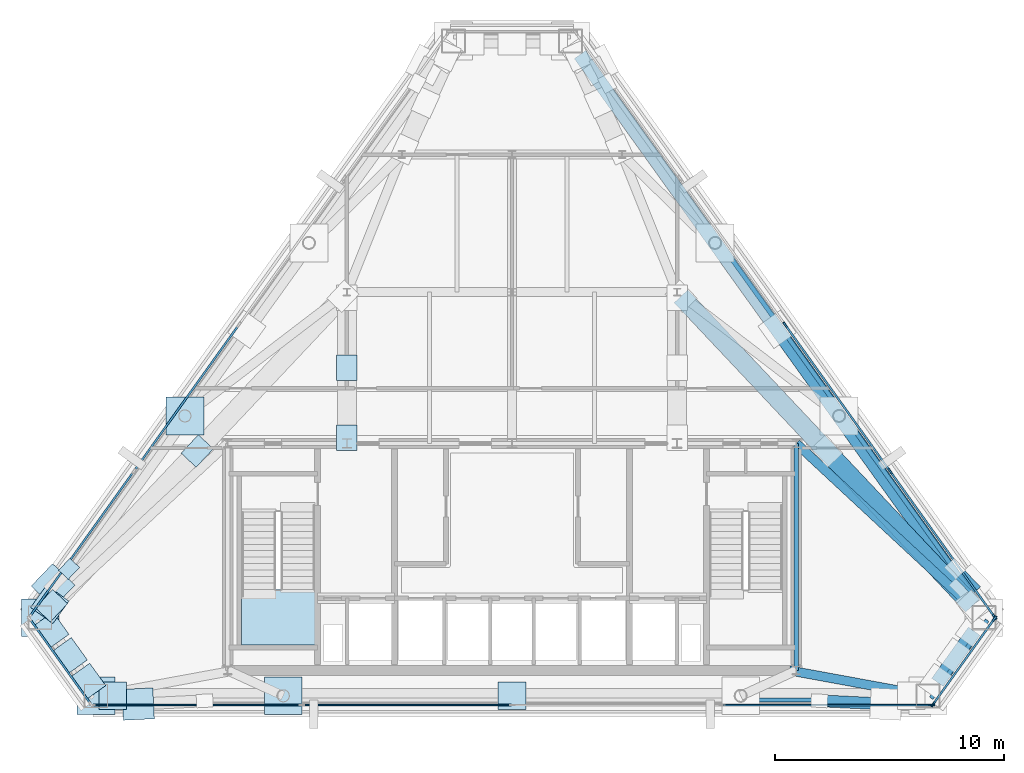
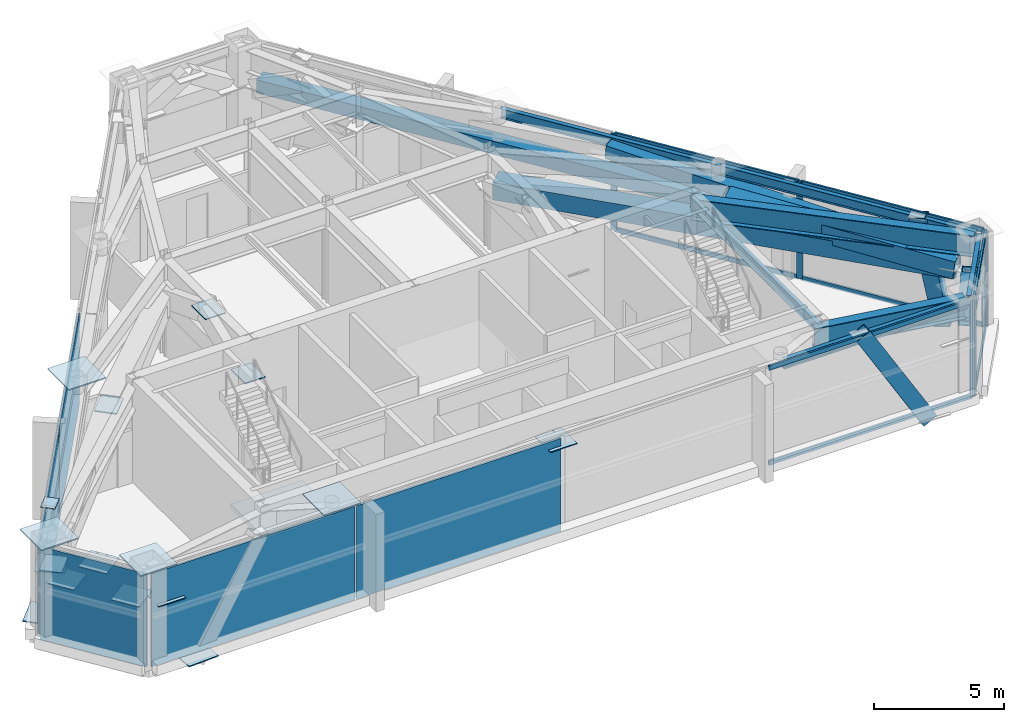
# One storey, part 4 of 9: 23 members, 22 plates, 7 beams, 1 slab, 6 elements without a shape of their own.
"""IFC4 building model written with IfcOpenShell, lengths in metres."""

from ifc_helpers import new_model, si_unit, direction, frame, origin, origin_2d, place, context, subcontext, project, spatial, polyline, rectangle, hollow_rectangle, i_section, outline, extrude, source, transform, mapped, material, layer, layer_set, material_profile, profile_set, type_object, type_shapes, element, aggregate, save


model = new_model("IFC4")

# Units and contexts
model_context = context("Model", 3, precision=1e-05, world=origin(), true_north=direction((0.0, 1.0)))
body_context = subcontext(model_context, "Body", "Model", "MODEL_VIEW")
ifc_project = project(units=[si_unit("LENGTHUNIT", "METRE"), si_unit("AREAUNIT", "SQUARE_METRE"), si_unit("VOLUMEUNIT", "CUBIC_METRE"), si_unit("PLANEANGLEUNIT", "RADIAN"), si_unit("MASSUNIT", "GRAM", prefix="KILO")], contexts=[model_context])

# Site, building, storey
site_placement = place(None, origin())
site = spatial("IfcSite", under=ifc_project, at=site_placement, CompositionType="ELEMENT")
building_placement = place(site_placement, origin())
building = spatial("IfcBuilding", under=site, at=building_placement, Name="Talgorran Terracotta Tower", CompositionType="ELEMENT")
storey_placement = place(building_placement, frame((0.0, 0.0, 244.199951171875)))
storey = spatial("IfcBuildingStorey", under=building, at=storey_placement, Name="L64", CompositionType="ELEMENT", Elevation=244.199951171875)

# Beams
ifc_material_1 = material(Name="Steel Grade 350 (350L0)", Category="steel")
ifc_material_profile_1 = material_profile(ifc_material_1, i_section(OverallWidth=0.39990234375, OverallDepth=1.0, WebThickness=0.01611328125, FlangeThickness=0.031005859375, at=origin_2d()), Name="1000WB296")
ifc_profile_set_1 = profile_set([ifc_material_profile_1], Name="Steel Grade 350 (350L0)")
beam_type_1 = type_object("IfcBeamType", Name="BM_1000WB296", PredefinedType="BEAM", material=ifc_profile_set_1)
beam_1_placement = place(storey_placement, frame((18.13720703125, -15.207763671875, 4.045166015625), z_axis=(-0.983581619815, 0.180463838932, 0.0), x_axis=(-0.180463838932, -0.983581619815, 0.0)))
element("IfcBeam", 1, at=beam_1_placement, inside=storey, type_object=beam_type_1, Name="L64 Perimeter Step Girder 5", PredefinedType="BEAM", context=body_context, shape_type="SweptSolid", body=[
    extrude(i_section(OverallWidth=0.39990234375, OverallDepth=1.0, WebThickness=0.01611328125, FlangeThickness=0.031005859375, at=origin_2d()), origin(), (0.0, 0.0, 1.0), 6.137939453125),
])
beam_2_placement = place(storey_placement, frame((12.39990234375, -4.199951171875, 4.045166015625), z_axis=(0.732477257619, -0.68079150044, 0.0), x_axis=(0.68079150044, 0.732477257619, 0.0)))
element("IfcBeam", 2, at=beam_2_placement, inside=storey, type_object=beam_type_1, Name="L64 Floor Girder G18", PredefinedType="BEAM", context=body_context, shape_type="SweptSolid", body=[
    extrude(i_section(OverallWidth=0.39990234375, OverallDepth=1.0, WebThickness=0.01611328125, FlangeThickness=0.031005859375, at=origin_2d()), origin(), (0.0, 0.0, 1.0), 11.16650390625),
])
ifc_material_2 = material(Name="Steel S355 (300PLUS)", Category="steel")
ifc_material_profile_2 = material_profile(ifc_material_2, i_section(OverallWidth=0.18994140625, OverallDepth=0.45703125, WebThickness=0.009033203125, FlangeThickness=0.014404296875, at=origin_2d()), Name="460UB74.6")
ifc_profile_set_2 = profile_set([ifc_material_profile_2], Name="Steel S355 (300PLUS)")
beam_type_2 = type_object("IfcBeamType", Name="BM_SP_460UB74", PredefinedType="SPANDREL", material=ifc_profile_set_2)
beam_3_placement = place(storey_placement, frame((9.9755859375, -15.3876953125, 4.316650390625), z_axis=(1.0, 0.0, 0.0), x_axis=(0.0, 1.0, 0.0)))
element("IfcBeam", 3, at=beam_3_placement, inside=storey, type_object=beam_type_2, Name="L64 Perimeter Spandrel Beam FC2-MC3", PredefinedType="SPANDREL", context=body_context, shape_type="SweptSolid", body=[
    extrude(i_section(OverallWidth=0.18994140625, OverallDepth=0.45703125, WebThickness=0.009033203125, FlangeThickness=0.014404296875, at=origin_2d()), origin(), (0.0, 0.0, 1.0), 8.16162109375),
])
beam_4_placement = place(storey_placement, frame((18.283447265625, -15.312744140625, 4.316650390625), z_axis=(0.582692129248, 0.812692981705, 0.0), x_axis=(-0.812692981705, 0.582692129248, 0.0)))
element("IfcBeam", 4, at=beam_4_placement, inside=storey, type_object=beam_type_2, Name="L64 Perimeter Spandrel Beam MC3-MC4", PredefinedType="SPANDREL", context=body_context, shape_type="SweptSolid", body=[
    extrude(i_section(OverallWidth=0.18994140625, OverallDepth=0.45703125, WebThickness=0.009033203125, FlangeThickness=0.014404296875, at=origin_2d()), origin(), (0.0, 0.0, 1.0), 4.190673828125),
])
beam_5_placement = place(storey_placement, frame((20.725341796875, -11.697021484375, 4.316650390625), z_axis=(-0.5826658635, 0.812711813321, 0.0), x_axis=(-0.812711813321, -0.5826658635, 0.0)))
element("IfcBeam", 5, at=beam_5_placement, inside=storey, type_object=beam_type_2, Name="L64 Perimeter Spandrel Beam MC4-FC3", PredefinedType="SPANDREL", context=body_context, shape_type="SweptSolid", body=[
    extrude(i_section(OverallWidth=0.18994140625, OverallDepth=0.45703125, WebThickness=0.009033203125, FlangeThickness=0.014404296875, at=origin_2d()), origin(), (0.0, 0.0, 1.0), 10.831298828125),
])
beam_6_placement = place(storey_placement, frame((14.414306640625, -2.894287109375, 4.316650390625), z_axis=(-0.582665161137, 0.812712316873, 0.0), x_axis=(-0.812712316873, -0.582665161137, 0.0)))
element("IfcBeam", 6, at=beam_6_placement, inside=storey, type_object=beam_type_2, Name="L64 Perimeter Spandrel Beam FC3-FC4", PredefinedType="SPANDREL", context=body_context, shape_type="SweptSolid", body=[
    extrude(i_section(OverallWidth=0.18994140625, OverallDepth=0.45703125, WebThickness=0.009033203125, FlangeThickness=0.014404296875, at=origin_2d()), origin(), (0.0, 0.0, 1.0), 9.283935546875),
])
beam_7_placement = place(storey_placement, frame((12.39990234375, -14.10009765625, 4.316650390625), z_axis=(0.0, 1.0, 0.0), x_axis=(-1.0, 0.0, 0.0)))
element("IfcBeam", 7, at=beam_7_placement, inside=storey, type_object=beam_type_2, Name="L64 Core Frame Beam CFE", PredefinedType="SPANDREL", context=body_context, shape_type="SweptSolid", body=[
    extrude(i_section(OverallWidth=0.18994140625, OverallDepth=0.45703125, WebThickness=0.009033203125, FlangeThickness=0.014404296875, at=origin_2d()), origin(), (0.0, 0.0, 1.0), 9.900146484375),
])

# Members
ifc_material_profile_3 = material_profile(ifc_material_1, hollow_rectangle(XDim=0.6201171875, YDim=0.6201171875, WallThickness=0.034912109375, at=origin_2d()), Name="WBOX620X620X35")
ifc_profile_set_3 = profile_set([ifc_material_profile_3], Name="Steel Grade 350 (350L0)")
member_type_1 = type_object("IfcMemberType", Name="MB_BELT_CHORD", PredefinedType="CHORD", material=ifc_profile_set_3)
member_1_placement = place(storey_placement, frame((18.556640625, -14.622802734375, 2.920166015625), z_axis=(0.582664546564, 0.812712757484, 0.0), x_axis=(-0.812712757484, 0.582664546564, 0.0)))
element("IfcMember", 8, at=member_1_placement, inside=storey, type_object=member_type_1, Name="L64 Belt Truss Chord BT3", PredefinedType="CHORD", context=body_context, shape_type="SweptSolid", body=[
    extrude(hollow_rectangle(XDim=0.6201171875, YDim=0.6201171875, WallThickness=0.034912109375, at=origin_2d()), origin(), (0.0, 0.0, 1.0), 2.750732421875),
])
member_2_placement = place(storey_placement, frame((20.159423828125, -11.216796875, 2.920166015625), z_axis=(-0.582665707381, 0.812711925249, 0.0), x_axis=(-0.812711925249, -0.582665707381, 0.0)))
element("IfcMember", 9, at=member_2_placement, inside=storey, type_object=member_type_1, Name="L64 Belt Truss Chord BT4", PredefinedType="CHORD", context=body_context, shape_type="SweptSolid", body=[
    extrude(hollow_rectangle(XDim=0.6201171875, YDim=0.6201171875, WallThickness=0.034912109375, at=origin_2d()), origin(), (0.0, 0.0, 1.0), 29.50634765625),
])
ifc_material_profile_4 = material_profile(ifc_material_1, hollow_rectangle(XDim=0.6201171875, YDim=0.6201171875, WallThickness=0.034912109375, at=origin_2d()), Name="WBOX620X620X35")
ifc_profile_set_4 = profile_set([ifc_material_profile_4], Name="Steel Grade 350 (350L0)")
member_type_2 = type_object("IfcMemberType", Name="MB_BELT_DIAG", PredefinedType="BRACE", material=ifc_profile_set_4)
member_3_placement = place(storey_placement, frame((18.556640625, -14.622802734375, 2.920166015625), z_axis=(0.444673932741, 0.620213809937, 0.646219717669), x_axis=(-0.81270086223, 0.582681137956, 0.0)))
element("IfcMember", 10, at=member_3_placement, inside=storey, type_object=member_type_2, Name="L64 Belt Truss Diagonal BT3-1", PredefinedType="BRACE", context=body_context, shape_type="SweptSolid", body=[
    extrude(hollow_rectangle(XDim=0.6201171875, YDim=0.6201171875, WallThickness=0.034912109375, at=origin_2d()), origin(), (0.0, 0.0, 1.0), 1.802490234375),
])
member_4_placement = place(storey_placement, frame((19.358154296875, -13.5048828125, 4.0849609375), z_axis=(0.444602609614, 0.620167808292, -0.64631293433), x_axis=(-0.812724655346, 0.582647950818, 0.0)))
element("IfcMember", 11, at=member_4_placement, inside=storey, type_object=member_type_2, Name="L64 Belt Truss Diagonal BT3-2", PredefinedType="BRACE", context=body_context, shape_type="SweptSolid", body=[
    extrude(hollow_rectangle(XDim=0.6201171875, YDim=0.6201171875, WallThickness=0.034912109375, at=origin_2d()), origin(), (0.0, 0.0, 1.0), 1.80224609375),
])
member_5_placement = place(storey_placement, frame((20.159423828125, -11.216796875, 2.920166015625), z_axis=(-0.580862038062, 0.81018788842, 0.078707548526), x_axis=(-0.812709116152, -0.582669625537, 0.0)))
element("IfcMember", 12, at=member_5_placement, inside=storey, type_object=member_type_2, Name="L64 Belt Truss Diagonal BT4-1", PredefinedType="BRACE", context=body_context, shape_type="SweptSolid", body=[
    extrude(hollow_rectangle(XDim=0.6201171875, YDim=0.6201171875, WallThickness=0.034912109375, at=origin_2d()), origin(), (0.0, 0.0, 1.0), 14.799072265625),
])
ifc_material_profile_5 = material_profile(ifc_material_1, hollow_rectangle(XDim=0.52001953125, YDim=0.659912109375, WallThickness=0.034912109375, at=origin_2d()), Name="WBOX660X520X35")
ifc_profile_set_5 = profile_set([ifc_material_profile_5], Name="Steel Grade 350 (350L0)")
member_type_3 = type_object("IfcMemberType", Name="MB_MEGA_660", PredefinedType="BRACE", material=ifc_profile_set_5)
member_6_placement = place(storey_placement, frame((16.306640625, -15.56787109375, -0.33984375), z_axis=(-0.508700121682, 0.02533230754, 0.86057100834), x_axis=(-0.049736484364, -0.998762375204, 0.0)))
element("IfcMember", 13, at=member_6_placement, inside=storey, type_object=member_type_3, Name="L64 Exterior Face Mega-Brace MB-3 (SEF)", PredefinedType="BRACE", context=body_context, shape_type="SweptSolid", body=[
    extrude(hollow_rectangle(XDim=0.52001953125, YDim=0.659912109375, WallThickness=0.034912109375, at=origin_2d()), origin(), (0.0, 0.0, 1.0), 5.705322265625),
])
member_7_placement = place(storey_placement, frame((20.01611328125, -10.39892578125, -0.33984375), z_axis=(-0.139245513565, 0.145625773194, 0.979491613611), x_axis=(-0.72276259012, -0.691096403061, 0.0)))
element("IfcMember", 14, at=member_7_placement, inside=storey, type_object=member_type_3, Name="L64 Exterior Face Mega-Brace MB-3 (NEL)", PredefinedType="BRACE", context=body_context, shape_type="SweptSolid", body=[
    extrude(hollow_rectangle(XDim=0.52001953125, YDim=0.659912109375, WallThickness=0.034912109375, at=origin_2d()), origin(), (0.0, 0.0, 1.0), 5.0126953125),
])
ifc_material_profile_6 = material_profile(ifc_material_1, hollow_rectangle(XDim=0.820068359375, YDim=0.820068359375, WallThickness=0.044921875, at=origin_2d()), Name="WBOX820X820X45")
ifc_profile_set_6 = profile_set([ifc_material_profile_6], Name="Steel Grade 350 (350L0)")
member_type_4 = type_object("IfcMemberType", Name="MB_OUT_CHORD", PredefinedType="CHORD", material=ifc_profile_set_6)
member_8_placement = place(storey_placement, frame((7.371337890625, 2.218017578125, 2.920166015625), z_axis=(0.685704705185, -0.727879837121, 0.0), x_axis=(0.727879837121, 0.685704705185, 0.0)))
element("IfcMember", 15, at=member_8_placement, inside=storey, type_object=member_type_4, Name="L64 Outrigger Bottom Chord OR4", PredefinedType="CHORD", context=body_context, shape_type="SweptSolid", body=[
    extrude(hollow_rectangle(XDim=0.820068359375, YDim=0.820068359375, WallThickness=0.044921875, at=origin_2d()), origin(), (0.0, 0.0, 1.0), 18.541259765625),
])
ifc_material_profile_7 = material_profile(ifc_material_1, hollow_rectangle(XDim=0.820068359375, YDim=0.820068359375, WallThickness=0.044921875, at=origin_2d()), Name="WBOX820X820X45")
ifc_profile_set_7 = profile_set([ifc_material_profile_7], Name="Steel Grade 350 (350L0)")
member_type_5 = type_object("IfcMemberType", Name="MB_OUT_DIAG", PredefinedType="BRACE", material=ifc_profile_set_7)
member_9_placement = place(storey_placement, frame((13.728515625, -4.530029296875, 4.0849609375), z_axis=(0.680347999679, -0.722208332877, -0.124666447996), x_axis=(0.727886790054, 0.685697324528, 0.0)))
element("IfcMember", 16, at=member_9_placement, inside=storey, type_object=member_type_5, Name="L64 Outrigger Web Diagonal OR4-2", PredefinedType="BRACE", context=body_context, shape_type="SweptSolid", body=[
    extrude(hollow_rectangle(XDim=0.820068359375, YDim=0.820068359375, WallThickness=0.044921875, at=origin_2d()), origin(), (0.0, 0.0, 1.0), 9.34326171875),
])

# Curtain wall, member
ifc_material_3 = material(Name="Anodised Aluminium Louvre", Category="aluminium")
ifc_layer_1 = layer(ifc_material_3, 0.25, Name="CW_SYS4_LOUVRE")
ifc_layer_set_1 = layer_set([ifc_layer_1], Name="Anodised Aluminium Louvre")
curtain_wall_type = type_object("IfcCurtainWallType", Name="CW_SYS4_LOUVRE", PredefinedType="NOTDEFINED", material=ifc_layer_set_1)
curtain_wall_1_placement = place(storey_placement, origin())
curtain_wall_1 = element("IfcCurtainWall", 17, at=curtain_wall_1_placement, inside=storey, type_object=curtain_wall_type, Name="CW-L64-F1", PredefinedType="NOTDEFINED")
ifc_material_4 = material(Name="Architectural Aluminium 6063-T6", Category="aluminium")
ifc_material_profile_8 = material_profile(ifc_material_4, rectangle(XDim=0.0849609375, YDim=0.260009765625, at=origin_2d()), Name="CWM85X260")
ifc_profile_set_8 = profile_set([ifc_material_profile_8], Name="Architectural Aluminium 6063-T6")
member_type_6 = type_object("IfcMemberType", Name="MUL_85X260", PredefinedType="MULLION", material=ifc_profile_set_8)
member_10_placement = place(storey_placement, frame((18.300048828125, -15.60791015625, 0.0), z_axis=(0.0, 0.0, 1.0), x_axis=(0.0, 1.0, 0.0)))
member_10 = element("IfcMember", 18, at=member_10_placement, type_object=member_type_6, Name="CW-L64-1 mullion 5", PredefinedType="MULLION", context=body_context, shape_type="SweptSolid", body=[
    extrude(rectangle(XDim=0.0849609375, YDim=0.260009765625, at=origin_2d()), origin(), (0.0, 0.0, 1.0), 4.545166015625),
])

# Curtain wall, members
curtain_wall_2_placement = place(storey_placement, origin())
curtain_wall_2 = element("IfcCurtainWall", 19, at=curtain_wall_2_placement, inside=storey, type_object=curtain_wall_type, Name="CW-L64-F2", PredefinedType="NOTDEFINED")
member_11_placement = place(storey_placement, frame((18.367431640625, -15.5732421875, 0.0), z_axis=(0.0, 0.0, 1.0), x_axis=(-0.812714993724, 0.582661427396, 0.0)))
member_11 = element("IfcMember", 20, at=member_11_placement, type_object=member_type_6, Name="CW-L64-2 mullion 1", PredefinedType="MULLION", context=body_context, shape_type="SweptSolid", body=[
    extrude(rectangle(XDim=0.0849609375, YDim=0.260009765625, at=origin_2d()), origin(), (0.0, 0.0, 1.0), 4.545166015625),
])
member_12_placement = place(storey_placement, frame((21.04638671875, -11.83642578125, 0.0), z_axis=(0.0, 0.0, 1.0), x_axis=(-0.812714993724, 0.582661427396, 0.0)))
member_12 = element("IfcMember", 21, at=member_12_placement, type_object=member_type_6, Name="CW-L64-2 mullion 2", PredefinedType="MULLION", context=body_context, shape_type="SweptSolid", body=[
    extrude(rectangle(XDim=0.0849609375, YDim=0.260009765625, at=origin_2d()), origin(), (0.0, 0.0, 1.0), 4.545166015625),
])

curtain_wall_3_placement = place(storey_placement, origin())
curtain_wall_3 = element("IfcCurtainWall", 22, at=curtain_wall_3_placement, inside=storey, type_object=curtain_wall_type, Name="CW-L64-F3", PredefinedType="NOTDEFINED")
member_13_placement = place(storey_placement, frame((21.04638671875, -11.767578125, 0.0), z_axis=(0.0, 0.0, 1.0), x_axis=(-0.812712644972, -0.582664703498, 0.0)))
member_13 = element("IfcMember", 23, at=member_13_placement, type_object=member_type_6, Name="CW-L64-3 mullion 1", PredefinedType="MULLION", context=body_context, shape_type="SweptSolid", body=[
    extrude(rectangle(XDim=0.0849609375, YDim=0.260009765625, at=origin_2d()), origin(), (0.0, 0.0, 1.0), 4.545166015625),
])
member_14_placement = place(storey_placement, frame((16.491455078125, -5.414306640625, 0.0), z_axis=(0.0, 0.0, 1.0), x_axis=(-0.812712644972, -0.582664703498, 0.0)))
member_14 = element("IfcMember", 24, at=member_14_placement, type_object=member_type_6, Name="CW-L64-3 mullion 2", PredefinedType="MULLION", context=body_context, shape_type="SweptSolid", body=[
    extrude(rectangle(XDim=0.0849609375, YDim=0.260009765625, at=origin_2d()), origin(), (0.0, 0.0, 1.0), 4.545166015625),
])
member_15_placement = place(storey_placement, frame((11.912109375, 0.973388671875, 0.0), z_axis=(0.0, 0.0, 1.0), x_axis=(-0.812712644972, -0.582664703498, 0.0)))
member_15 = element("IfcMember", 25, at=member_15_placement, type_object=member_type_6, Name="CW-L64-3 mullion 3", PredefinedType="MULLION", context=body_context, shape_type="SweptSolid", body=[
    extrude(rectangle(XDim=0.0849609375, YDim=0.260009765625, at=origin_2d()), origin(), (0.0, 0.0, 1.0), 4.545166015625),
])

# Member
ifc_material_profile_9 = material_profile(ifc_material_4, rectangle(XDim=0.0849609375, YDim=0.2099609375, at=origin_2d()), Name="CWT85X210")
ifc_profile_set_9 = profile_set([ifc_material_profile_9], Name="Architectural Aluminium 6063-T6")
member_type_7 = type_object("IfcMemberType", Name="TRN_85X210", PredefinedType="USERDEFINED", material=ifc_profile_set_9)
member_16_placement = place(storey_placement, frame((9.2138671875, -15.60791015625, 0.04248046875), z_axis=(1.0, 0.0, 0.0), x_axis=(0.0, 1.0, 0.0)))
member_16 = element("IfcMember", 26, at=member_16_placement, type_object=member_type_7, Name="CW-L64-1 transom 4.1", ObjectType="TRANSOM", PredefinedType="USERDEFINED", context=body_context, shape_type="SweptSolid", body=[
    extrude(rectangle(XDim=0.0849609375, YDim=0.2099609375, at=origin_2d()), origin(), (0.0, 0.0, 1.0), 9.043701171875),
])

member_17_placement = place(storey_placement, frame((9.2138671875, -15.60791015625, 4.50244140625), z_axis=(1.0, 0.0, 0.0), x_axis=(0.0, 1.0, 0.0)))
member_17 = element("IfcMember", 27, at=member_17_placement, type_object=member_type_7, Name="CW-L64-1 transom 4.2", ObjectType="TRANSOM", PredefinedType="USERDEFINED", context=body_context, shape_type="SweptSolid", body=[
    extrude(rectangle(XDim=0.0849609375, YDim=0.2099609375, at=origin_2d()), origin(), (0.0, 0.0, 1.0), 9.043701171875),
])

member_18_placement = place(storey_placement, frame((18.39208984375, -15.538818359375, 0.04248046875), z_axis=(0.582644625683, 0.812727039149, 0.0), x_axis=(-0.812727039149, 0.582644625683, 0.0)))
member_18 = element("IfcMember", 28, at=member_18_placement, type_object=member_type_7, Name="CW-L64-2 transom 1.1", ObjectType="TRANSOM", PredefinedType="USERDEFINED", context=body_context, shape_type="SweptSolid", body=[
    extrude(rectangle(XDim=0.0849609375, YDim=0.2099609375, at=origin_2d()), origin(), (0.0, 0.0, 1.0), 4.512939453125),
])

member_19_placement = place(storey_placement, frame((18.39208984375, -15.538818359375, 4.50244140625), z_axis=(0.582644625683, 0.812727039149, 0.0), x_axis=(-0.812727039149, 0.582644625683, 0.0)))
member_19 = element("IfcMember", 29, at=member_19_placement, type_object=member_type_7, Name="CW-L64-2 transom 1.2", ObjectType="TRANSOM", PredefinedType="USERDEFINED", context=body_context, shape_type="SweptSolid", body=[
    extrude(rectangle(XDim=0.0849609375, YDim=0.2099609375, at=origin_2d()), origin(), (0.0, 0.0, 1.0), 4.512939453125),
])

aggregate(curtain_wall_2, [member_11, member_12, member_18, member_19])

member_20_placement = place(storey_placement, frame((21.021484375, -11.73291015625, 0.04248046875), z_axis=(-0.582659048538, 0.812716699199, 0.0), x_axis=(-0.812716699199, -0.582659048538, 0.0)))
member_20 = element("IfcMember", 30, at=member_20_placement, type_object=member_type_7, Name="CW-L64-3 transom 1.1", ObjectType="TRANSOM", PredefinedType="USERDEFINED", context=body_context, shape_type="SweptSolid", body=[
    extrude(rectangle(XDim=0.0849609375, YDim=0.2099609375, at=origin_2d()), origin(), (0.0, 0.0, 1.0), 7.73193359375),
])

member_21_placement = place(storey_placement, frame((21.021484375, -11.73291015625, 4.50244140625), z_axis=(-0.582659048538, 0.812716699199, 0.0), x_axis=(-0.812716699199, -0.582659048538, 0.0)))
member_21 = element("IfcMember", 31, at=member_21_placement, type_object=member_type_7, Name="CW-L64-3 transom 1.2", ObjectType="TRANSOM", PredefinedType="USERDEFINED", context=body_context, shape_type="SweptSolid", body=[
    extrude(rectangle(XDim=0.0849609375, YDim=0.2099609375, at=origin_2d()), origin(), (0.0, 0.0, 1.0), 7.73193359375),
])

member_22_placement = place(storey_placement, frame((16.466796875, -5.3798828125, 0.04248046875), z_axis=(-0.582663119582, 0.812713780539, 0.0), x_axis=(-0.812713780539, -0.582663119582, 0.0)))
member_22 = element("IfcMember", 32, at=member_22_placement, type_object=member_type_7, Name="CW-L64-3 transom 2.1", ObjectType="TRANSOM", PredefinedType="USERDEFINED", context=body_context, shape_type="SweptSolid", body=[
    extrude(rectangle(XDim=0.0849609375, YDim=0.2099609375, at=origin_2d()), origin(), (0.0, 0.0, 1.0), 7.774658203125),
])

member_23_placement = place(storey_placement, frame((16.466796875, -5.3798828125, 4.50244140625), z_axis=(-0.582663119582, 0.812713780539, 0.0), x_axis=(-0.812713780539, -0.582663119582, 0.0)))
member_23 = element("IfcMember", 33, at=member_23_placement, type_object=member_type_7, Name="CW-L64-3 transom 2.2", ObjectType="TRANSOM", PredefinedType="USERDEFINED", context=body_context, shape_type="SweptSolid", body=[
    extrude(rectangle(XDim=0.0849609375, YDim=0.2099609375, at=origin_2d()), origin(), (0.0, 0.0, 1.0), 7.774658203125),
])

aggregate(curtain_wall_3, [member_13, member_14, member_15, member_20, member_21, member_22, member_23])

# Plates
ifc_layer_2 = layer(ifc_material_1, 0.031982421875, Name="PL_CAP_MN07")
ifc_layer_set_2 = layer_set([ifc_layer_2], Name="Steel Grade 350 (350L0)")
plate_type_1 = type_object("IfcPlateType", Name="PL_CAP_MN07", PredefinedType="USERDEFINED", material=ifc_layer_set_2)
plate_1_placement = place(storey_placement, frame((-19.318115234375, -9.6689453125, 4.51904296875), z_axis=(0.0, 0.0, 1.0), x_axis=(0.691134732122, 0.722725938412, 0.0)))
element("IfcPlate", 34, at=plate_1_placement, inside=storey, type_object=plate_type_1, Name="L64 Diagonal Frame End Cap NWL Top", ObjectType="CAP PLATE", PredefinedType="USERDEFINED", context=body_context, shape_type="SweptSolid", body=[
    extrude(rectangle(XDim=0.719970703125, YDim=0.580078125, at=origin_2d()), origin(), (0.0, 0.0, 1.0), 0.031982421875),
])
ifc_layer_3 = layer(ifc_material_1, 0.044921875, Name="PL_GUS_MN08")
ifc_layer_set_3 = layer_set([ifc_layer_3], Name="Steel Grade 350 (350L0)")
plate_type_2 = type_object("IfcPlateType", Name="PL_GUS_MN08", PredefinedType="SHEET", material=ifc_layer_set_3)
for number, where, z_axis, x_axis, name in (
    (35, (-7.199951171875, -3.949951171875, 2.897705078125), (0.0, 0.0, 1.0), (0.0, 1.0, 0.0), "L64 Outrigger Gusset OR1-A"),
    (36, (-7.199951171875, -0.89990234375, 4.0625), (0.0, 0.0, 1.0), (0.0, 1.0, 0.0), "L64 Outrigger Gusset OR1-M"),
    (37, (-13.728515625, -4.530029296875, 4.0625), (0.0, 0.0, 1.0), (-0.685691322174, -0.727892444455, 0.0), "L64 Outrigger Gusset OR3-M"),
    (38, (-20.085205078125, -11.27783203125, 2.897705078125), (0.0, 0.0, 1.0), (-0.685691322174, -0.727892444455, 0.0), "L64 Outrigger Gusset OR3-B"),
):
    element("IfcPlate", number, at=place(storey_placement, frame(where, z_axis=z_axis, x_axis=x_axis)), inside=storey, type_object=plate_type_2, Name=name, PredefinedType="SHEET", context=body_context, shape_type="SweptSolid", body=[
        extrude(rectangle(XDim=1.10009765625, YDim=0.89990234375, at=origin_2d()), origin(), (0.0, 0.0, 1.0), 0.044921875),
    ])
ifc_layer_4 = layer(ifc_material_1, 0.06005859375, Name="PL_NODE_MN01")
ifc_layer_set_4 = layer_set([ifc_layer_4], Name="Steel Grade 350 (350L0)")
plate_type_3 = type_object("IfcPlateType", Name="PL_NODE_MN01", PredefinedType="USERDEFINED", material=ifc_layer_set_4)
for number, where, z_axis, x_axis, name in (
    (39, (-20.5791015625, -11.802001953125, 4.784912109375), (0.0, 0.0, 1.0), (1.0, 0.0, 0.0), "L64 Mega-Column Cap Plate MC1"),
    (40, (-18.13720703125, -15.207763671875, 4.784912109375), (0.0, 0.0, 1.0), (1.0, 0.0, 0.0), "L64 Mega-Column Cap Plate MC2"),
    (41, (-9.9755859375, -15.207763671875, 4.784912109375), (0.0, 0.0, 1.0), (1.0, 0.0, 0.0), "L64 Facet Column Cap Plate FC1"),
    (42, (-14.26806640625, -2.999267578125, 4.784912109375), (0.0, 0.0, 1.0), (1.0, 0.0, 0.0), "L64 Facet Column Cap Plate FC6"),
):
    element("IfcPlate", number, at=place(storey_placement, frame(where, z_axis=z_axis, x_axis=x_axis)), inside=storey, type_object=plate_type_3, Name=name, ObjectType="NODE PLATE", PredefinedType="USERDEFINED", context=body_context, shape_type="SweptSolid", body=[
        extrude(rectangle(XDim=1.64990234375, YDim=1.64990234375, at=origin_2d()), origin(), (0.0, 0.0, 1.0), 0.06005859375),
    ])
ifc_layer_5 = layer(ifc_material_1, 0.050048828125, Name="PL_NODE_MN03")
ifc_layer_set_5 = layer_set([ifc_layer_5], Name="Steel Grade 350 (350L0)")
plate_type_4 = type_object("IfcPlateType", Name="PL_NODE_MN03", PredefinedType="USERDEFINED", material=ifc_layer_set_5)
for number, where, z_axis, x_axis, name in (
    (43, (-16.306640625, -15.56787109375, -0.01513671875), (0.0, 0.0, 1.0), (0.998763127564, 0.049721373869, 0.0), "L64 Diagonal Frame End Cap SWF Bot"),
    (44, (-20.01611328125, -10.39892578125, -0.01513671875), (0.0, 0.0, 1.0), (0.691134732122, 0.722725938412, 0.0), "L64 Diagonal Frame End Cap NWL Bot"),
):
    element("IfcPlate", number, at=place(storey_placement, frame(where, z_axis=z_axis, x_axis=x_axis)), inside=storey, type_object=plate_type_4, Name=name, ObjectType="NODE PLATE", PredefinedType="USERDEFINED", context=body_context, shape_type="SweptSolid", body=[
        extrude(rectangle(XDim=1.35009765625, YDim=1.35009765625, at=origin_2d()), origin(), (0.0, 0.0, 1.0), 0.050048828125),
    ])
ifc_layer_6 = layer(ifc_material_1, 0.044921875, Name="PL_NODE_MN04")
ifc_layer_set_6 = layer_set([ifc_layer_6], Name="Steel Grade 350 (350L0)")
plate_type_5 = type_object("IfcPlateType", Name="PL_NODE_MN04", PredefinedType="USERDEFINED", material=ifc_layer_set_6)
for number, where, z_axis, x_axis, name in (
    (45, (-20.159423828125, -12.38720703125, 2.897705078125), (0.0, 0.0, 1.0), (0.582690479669, -0.812694164433, 0.0), "L64 Belt Node Plate BT1-A"),
    (46, (-19.358154296875, -13.5048828125, 4.0625), (0.0, 0.0, 1.0), (0.582690479669, -0.812694164433, 0.0), "L64 Belt Node Plate BT1-M"),
    (47, (-18.556640625, -14.622802734375, 2.897705078125), (0.0, 0.0, 1.0), (0.582690479669, -0.812694164433, 0.0), "L64 Belt Node Plate BT1-B"),
    (48, (-17.417236328125, -15.207763671875, 2.897705078125), (0.0, 0.0, 1.0), (1.0, 0.0, 0.0), "L64 Belt Node Plate BT2-A"),
    (49, (0.0, -15.207763671875, 4.0625), (0.0, 0.0, 1.0), (1.0, 0.0, 0.0), "L64 Belt Node Plate BT2-M"),
    (50, (-20.159423828125, -11.216796875, 2.897705078125), (0.0, 0.0, 1.0), (-0.582690479669, -0.812694164433, 0.0), "L64 Belt Node Plate BT6-B"),
):
    element("IfcPlate", number, at=place(storey_placement, frame(where, z_axis=z_axis, x_axis=x_axis)), inside=storey, type_object=plate_type_5, Name=name, ObjectType="NODE PLATE", PredefinedType="USERDEFINED", context=body_context, shape_type="SweptSolid", body=[
        extrude(rectangle(XDim=1.199951171875, YDim=1.199951171875, at=origin_2d()), origin(), (0.0, 0.0, 1.0), 0.044921875),
    ])

# Stair, slab
ifc_material_5 = material(Name="Concrete C40/50", Category="concrete")
stair_type = type_object("IfcStairType", Name="ST_FIRE_SCISSOR", PredefinedType="HALF_TURN_STAIR", material=ifc_material_5)
stair_placement = place(storey_placement, origin())
stair = element("IfcStair", 51, at=stair_placement, inside=storey, type_object=stair_type, Name="L64 West Protected Fire Stair ST-01", PredefinedType="HALF_TURN_STAIR")
ifc_layer_7 = layer(ifc_material_5, 0.199951171875, Name="SL_LANDING_200")
ifc_layer_set_7 = layer_set([ifc_layer_7], Name="Concrete C40/50")
slab_type = type_object("IfcSlabType", Name="SL_LANDING_200", PredefinedType="LANDING", material=ifc_layer_set_7)
slab_placement = place(storey_placement, frame((0.0, 0.0, 2.199951171875)))
slab = element("IfcSlab", 52, at=slab_placement, type_object=slab_type, Name="ST-01 landing 1", PredefinedType="LANDING", context=body_context, shape_type="SweptSolid", body=[
    extrude(outline(polyline([(-11.800048828125, -10.56005859375), (-11.800048828125, -13.0), (-8.60009765625, -13.0), (-8.60009765625, -10.56005859375), (-11.800048828125, -10.56005859375)])), origin(), (0.0, 0.0, 1.0), 0.2001953125),
])
aggregate(stair, [slab])

# Curtain wall, plate
curtain_wall_4_placement = place(storey_placement, origin())
curtain_wall_4 = element("IfcCurtainWall", 53, at=curtain_wall_4_placement, inside=storey, type_object=curtain_wall_type, Name="CW-L64-F0", PredefinedType="NOTDEFINED")
ifc_material_6 = material(Name="Anodised Aluminium Louvre Panel", Category="aluminium")
ifc_layer_8 = layer(ifc_material_6, 0.0849609375, Name="PLT_LOUVRE_BLADE")
ifc_layer_set_8 = layer_set([ifc_layer_8], Name="Anodised Aluminium Louvre Panel")
plate_type_6 = type_object("IfcPlateType", Name="PLT_LOUVRE_BLADE", PredefinedType="CURTAIN_PANEL", material=ifc_layer_set_8)
shared_shape_1 = source(origin(), body_context, "Body", "SweptSolid", [
    extrude(rectangle(XDim=4.512939453125, YDim=0.0849609375, at=origin_2d()), origin(), (0.0, 0.0, 1.0), 4.375),
])
plate_2_placement = place(storey_placement, frame((-19.706787109375, -13.704833984375, 0.0849609375), z_axis=(0.0, 0.0, 1.0), x_axis=(0.582661427396, -0.812714993724, 0.0)))
plate_2 = element("IfcPlate", 54, at=plate_2_placement, type_object=plate_type_6, Name="CW-L64-0 panel 1.1", PredefinedType="CURTAIN_PANEL", context=body_context, shape_type="MappedRepresentation", body=[
    mapped(shared_shape_1, transform((0.0, 0.0, 0.0), scale=1.0)),
])
aggregate(curtain_wall_4, [plate_2])

# Plate
shared_shape_2 = source(origin(), body_context, "Body", "SweptSolid", [
    extrude(rectangle(XDim=9.043701171875, YDim=0.0849609375, at=origin_2d()), origin(), (0.0, 0.0, 1.0), 4.375),
])
plate_3_placement = place(storey_placement, frame((-13.735595703125, -15.60791015625, 0.0849609375), z_axis=(0.0, 0.0, 1.0), x_axis=(1.0, 0.0, 0.0)))
plate_3 = element("IfcPlate", 55, at=plate_3_placement, type_object=plate_type_6, Name="CW-L64-1 panel 1.1", PredefinedType="CURTAIN_PANEL", context=body_context, shape_type="MappedRepresentation", body=[
    mapped(shared_shape_2, transform((0.0, 0.0, 0.0), scale=1.0)),
])

shared_shape_3 = source(origin(), body_context, "Body", "SweptSolid", [
    extrude(rectangle(XDim=9.086181640625, YDim=0.0849609375, at=origin_2d()), origin(), (0.0, 0.0, 1.0), 4.375),
])
plate_4_placement = place(storey_placement, frame((-4.585693359375, -15.60791015625, 0.0849609375), z_axis=(0.0, 0.0, 1.0), x_axis=(1.0, 0.0, 0.0)))
plate_4 = element("IfcPlate", 56, at=plate_4_placement, type_object=plate_type_6, Name="CW-L64-1 panel 2.1", PredefinedType="CURTAIN_PANEL", context=body_context, shape_type="MappedRepresentation", body=[
    mapped(shared_shape_3, transform((0.0, 0.0, 0.0), scale=1.0)),
])

aggregate(curtain_wall_1, [member_10, plate_3, plate_4, member_16, member_17])

# Curtain wall, plates
curtain_wall_5_placement = place(storey_placement, origin())
curtain_wall_5 = element("IfcCurtainWall", 57, at=curtain_wall_5_placement, inside=storey, type_object=curtain_wall_type, Name="CW-L64-F5", PredefinedType="NOTDEFINED")
shared_shape_4 = source(origin(), body_context, "Body", "SweptSolid", [
    extrude(rectangle(XDim=7.732177734375, YDim=0.0849609375, at=origin_2d()), origin(), (0.0, 0.0, 1.0), 4.375),
])
plate_5_placement = place(storey_placement, frame((-18.76904296875, -8.5908203125, 0.0849609375), z_axis=(0.0, 0.0, 1.0), x_axis=(-0.582664703498, -0.812712644972, 0.0)))
plate_5 = element("IfcPlate", 58, at=plate_5_placement, type_object=plate_type_6, Name="CW-L64-5 panel 4.1", PredefinedType="CURTAIN_PANEL", context=body_context, shape_type="MappedRepresentation", body=[
    mapped(shared_shape_4, transform((0.0, 0.0, 0.0), scale=1.0)),
])
shared_shape_5 = source(origin(), body_context, "Body", "SweptSolid", [
    extrude(rectangle(XDim=7.774658203125, YDim=0.0849609375, at=origin_2d()), origin(), (0.0, 0.0, 1.0), 4.375),
])
type_shapes(plate_type_6, [shared_shape_1, shared_shape_2, shared_shape_3, shared_shape_4, shared_shape_5])
plate_6_placement = place(storey_placement, frame((-14.20166015625, -2.220458984375, 0.0849609375), z_axis=(0.0, 0.0, 1.0), x_axis=(-0.582664703498, -0.812712644972, 0.0)))
plate_6 = element("IfcPlate", 59, at=plate_6_placement, type_object=plate_type_6, Name="CW-L64-5 panel 3.1", PredefinedType="CURTAIN_PANEL", context=body_context, shape_type="MappedRepresentation", body=[
    mapped(shared_shape_5, transform((0.0, 0.0, 0.0), scale=1.0)),
])
aggregate(curtain_wall_5, [plate_6, plate_5])

save(model, "model.ifc")
